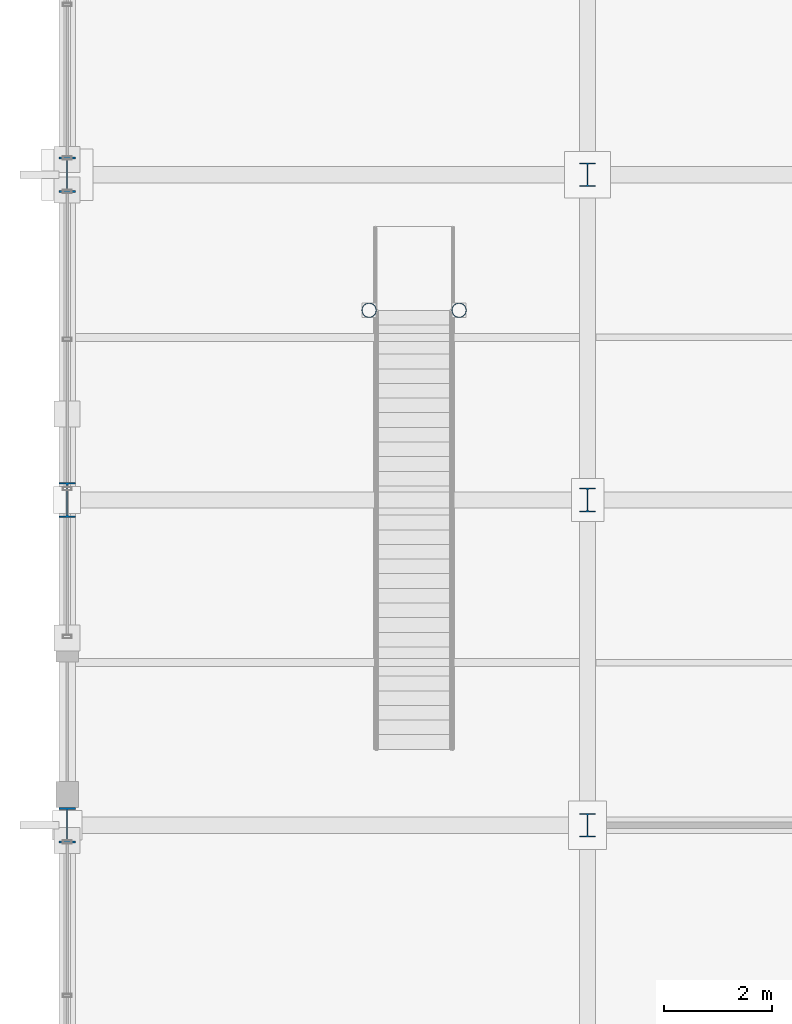
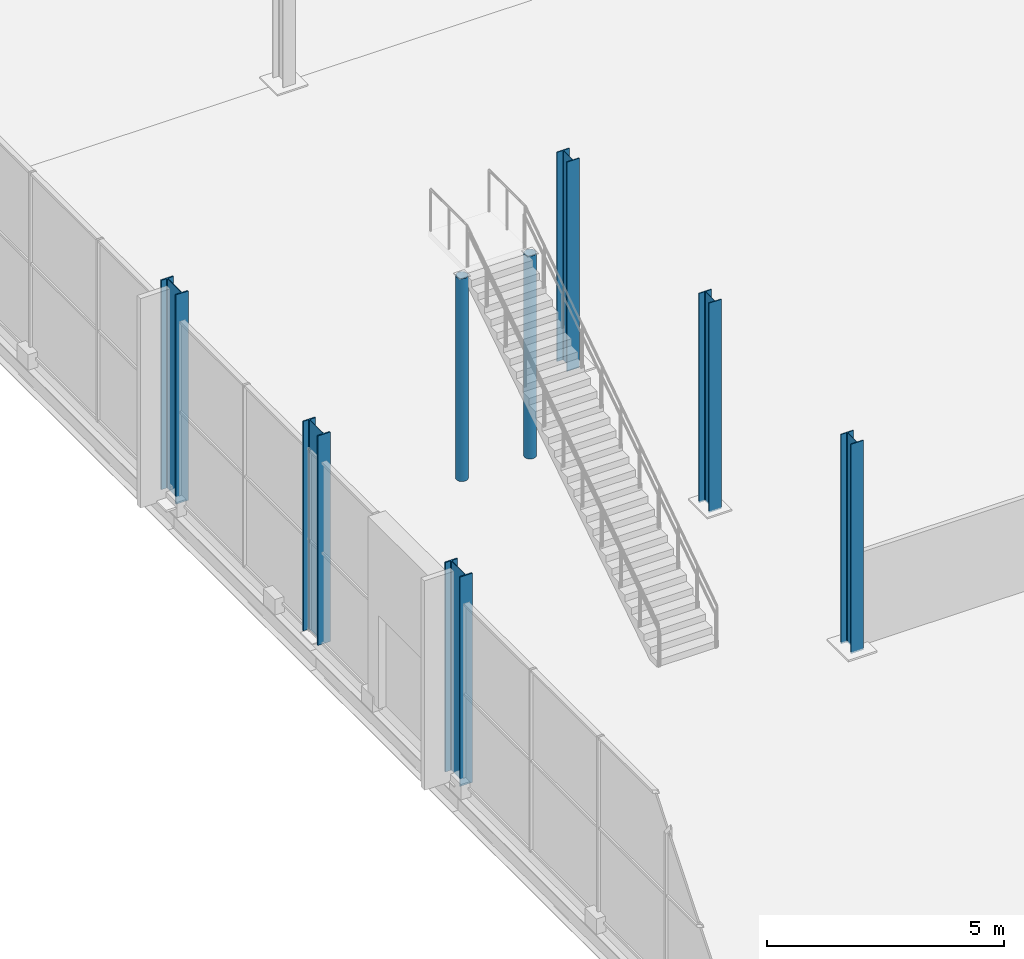
# One storey, part 3 of 196: 8 columns.
"""IFC4 building model written with IfcOpenShell, lengths in metres."""

from ifc_helpers import new_model, si_unit, direction, frame, origin, origin_2d, place, context, subcontext, project, spatial, hollow_circle, i_section, extrude, material, material_profile, profile_set, type_object, element, save


model = new_model("IFC4")

# Units and contexts
model_context = context("Model", 3, precision=1e-05, world=origin(), true_north=direction((0.0, 1.0)))
body_context = subcontext(model_context, "Body", "Model", "MODEL_VIEW")
ifc_project = project(units=[si_unit("LENGTHUNIT", "METRE"), si_unit("AREAUNIT", "SQUARE_METRE"), si_unit("VOLUMEUNIT", "CUBIC_METRE"), si_unit("PLANEANGLEUNIT", "RADIAN"), si_unit("MASSUNIT", "GRAM", prefix="KILO")], contexts=[model_context])

# Site, building, storey
site_placement = place(None, origin())
site = spatial("IfcSite", under=ifc_project, at=site_placement, CompositionType="ELEMENT")
building_placement = place(site_placement, origin())
building = spatial("IfcBuilding", under=site, at=building_placement, Name="Merenkruunu Market Hall", CompositionType="ELEMENT")
storey_placement = place(building_placement, origin())
storey = spatial("IfcBuildingStorey", under=building, at=storey_placement, Name="L00", CompositionType="ELEMENT", Elevation=0.0)

# Columns
ifc_material_1 = material(Name="Steel S355ML", Category="steel")
ifc_material_profile_1 = material_profile(ifc_material_1, i_section(OverallWidth=0.300048828125, OverallDepth=0.64990234375, WebThickness=0.01611328125, FlangeThickness=0.031005859375, FilletRadius=0.027099609375, at=origin_2d()), Name="HEB 650")
ifc_profile_set_1 = profile_set([ifc_material_profile_1], Name="Steel S355ML")
column_type_1 = type_object("IfcColumnType", Name="Structural Column C01", PredefinedType="COLUMN", material=ifc_profile_set_1)
for number, where, z_axis, x_axis, name in (
    (1, (0.0, 39.60009765625, 0.0), (0.0, 0.0, 1.0), (1.0, 0.0, 0.0), "COL-L00-A-05"),
    (2, (0.0, 45.60009765625, 0.0), (0.0, 0.0, 1.0), (1.0, 0.0, 0.0), "COL-L00-A-06"),
    (3, (0.0, 51.60009765625, 0.0), (0.0, 0.0, 1.0), (1.0, 0.0, 0.0), "COL-L00-A-07"),
):
    element("IfcColumn", number, at=place(storey_placement, frame(where, z_axis=z_axis, x_axis=x_axis)), inside=storey, type_object=column_type_1, Name=name, PredefinedType="COLUMN", context=body_context, shape_type="SweptSolid", body=[
        extrude(i_section(OverallWidth=0.300048828125, OverallDepth=0.64990234375, WebThickness=0.01611328125, FlangeThickness=0.031005859375, FilletRadius=0.027099609375, at=origin_2d()), origin(), (0.0, 0.0, 1.0), 5.39990234375),
    ])
ifc_material_2 = material(Name="Steel S355J2", Category="steel")
ifc_material_profile_2 = material_profile(ifc_material_2, i_section(OverallWidth=0.300048828125, OverallDepth=0.43994140625, WebThickness=0.011474609375, FlangeThickness=0.02099609375, FilletRadius=0.027099609375, at=origin_2d()), Name="HEA 450")
ifc_profile_set_2 = profile_set([ifc_material_profile_2], Name="Steel S355J2")
column_type_2 = type_object("IfcColumnType", Name="Structural Column C07", PredefinedType="COLUMN", material=ifc_profile_set_2)
for number, where, z_axis, x_axis, name in (
    (4, (9.60009765625, 39.60009765625, 0.0), (0.0, 0.0, 1.0), (1.0, 0.0, 0.0), "COL-L00-B-05"),
    (5, (9.60009765625, 45.60009765625, 0.0), (0.0, 0.0, 1.0), (1.0, 0.0, 0.0), "COL-L00-B-06"),
    (6, (9.60009765625, 51.60009765625, 0.0), (0.0, 0.0, 1.0), (1.0, 0.0, 0.0), "COL-L00-B-07"),
):
    element("IfcColumn", number, at=place(storey_placement, frame(where, z_axis=z_axis, x_axis=x_axis)), inside=storey, type_object=column_type_2, Name=name, PredefinedType="COLUMN", context=body_context, shape_type="SweptSolid", body=[
        extrude(i_section(OverallWidth=0.300048828125, OverallDepth=0.43994140625, WebThickness=0.011474609375, FlangeThickness=0.02099609375, FilletRadius=0.027099609375, at=origin_2d()), origin(), (0.0, 0.0, 1.0), 5.39990234375),
    ])
ifc_material_profile_3 = material_profile(ifc_material_1, hollow_circle(Radius=0.136474609375, WallThickness=0.012451171875, at=origin_2d()), Name="CHS 273x12.5")
ifc_profile_set_3 = profile_set([ifc_material_profile_3], Name="Steel S355ML")
column_type_3 = type_object("IfcColumnType", Name="Structural Column C14", PredefinedType="COLUMN", material=ifc_profile_set_3)
for number, where, z_axis, x_axis, name in (
    (7, (5.570068359375, 49.10009765625, 0.0), (0.0, 0.0, 1.0), (1.0, 0.0, 0.0), "COL-FST-2-1-L00"),
    (8, (7.22998046875, 49.10009765625, 0.0), (0.0, 0.0, 1.0), (1.0, 0.0, 0.0), "COL-FST-2-2-L00"),
):
    element("IfcColumn", number, at=place(storey_placement, frame(where, z_axis=z_axis, x_axis=x_axis)), inside=storey, type_object=column_type_3, Name=name, PredefinedType="COLUMN", context=body_context, shape_type="SweptSolid", body=[
        extrude(hollow_circle(Radius=0.136474609375, WallThickness=0.012451171875, at=origin_2d()), origin(), (0.0, 0.0, 1.0), 5.22998046875),
    ])

save(model, "model.ifc")
